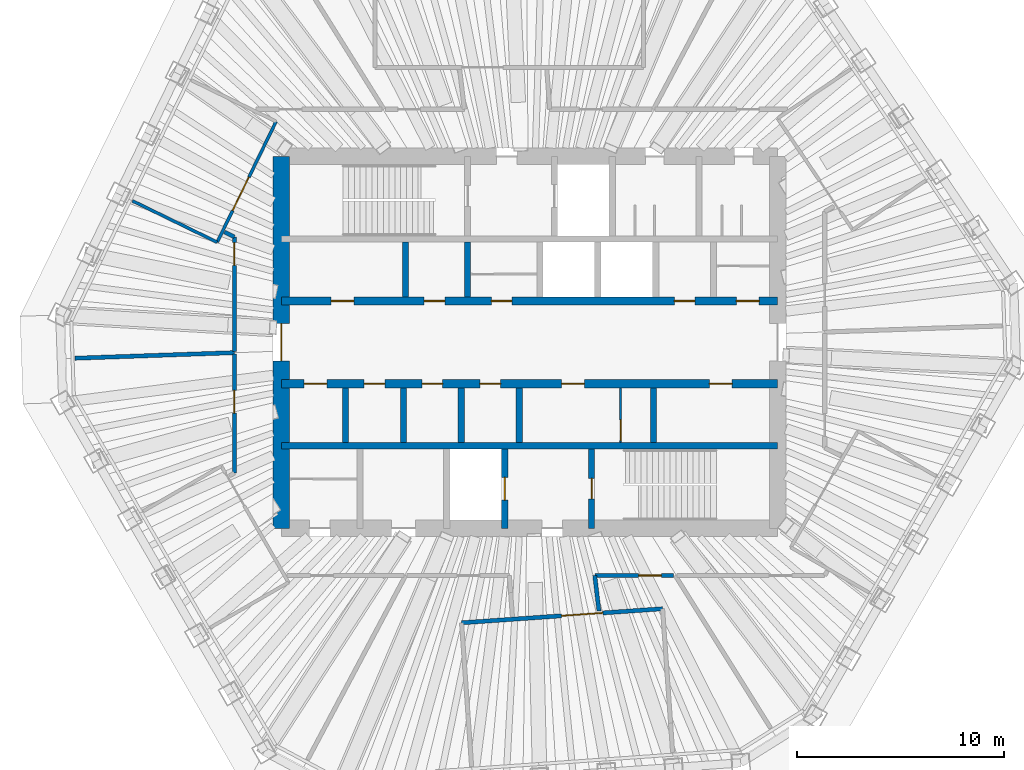
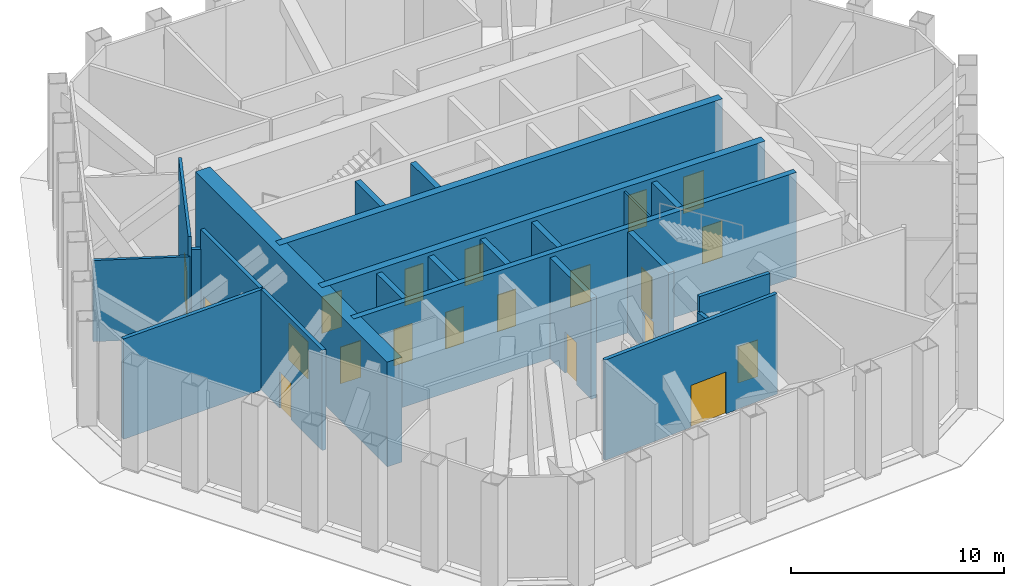
# One storey, part 6 of 10: 23 walls, 20 doors, 20 openings.
"""IFC4 building model written with IfcOpenShell, lengths in metres."""

import ifcopenshell
import ifcopenshell.guid

model = None  # the IFC model being written
_history = None  # IfcOwnerHistory: only IFC2X3 demands one
_inside = {}  # id of a spatial element -> (the spatial element, [elements in it])
_under = {}  # id of a project, library or spatial element -> (it, [spatial elements below it])
_declared = {}  # id of a project -> (the project, [libraries it declares])
_typed = {}  # id of a type object -> (the type object, [elements of that type])
_made_of = {}  # id of a material, layer set ... -> (it, [elements and type objects made of it])


def new_model(schema):
    """Start an empty IFC model of exactly this schema.

    Asked for "IFC4X3", IfcOpenShell would pick the latest addendum, in which some entities
    have other attributes; the version numbers below select the first issue.
    IFC2X3 requires an IfcOwnerHistory on every rooted entity: one is made here for all.
    """
    global model, _history
    if schema == "IFC4X3":
        model = ifcopenshell.file(schema_version=(4, 3, 0, 0))
    else:
        model = ifcopenshell.file(schema=schema)
    _inside.clear()
    _under.clear()
    _declared.clear()
    _typed.clear()
    _made_of.clear()
    _history = None
    if model.schema == "IFC2X3":
        org = make("IfcOrganization", Name="unknown")
        user = make(
            "IfcPersonAndOrganization",
            ThePerson=make("IfcPerson", FamilyName="unknown"),
            TheOrganization=org,
        )
        app = make(
            "IfcApplication",
            ApplicationDeveloper=org,
            Version="unknown",
            ApplicationFullName="unknown",
            ApplicationIdentifier="unknown",
        )
        _history = make(
            "IfcOwnerHistory",
            OwningUser=user,
            OwningApplication=app,
            ChangeAction="ADDED",
            CreationDate=0,
        )
    return model


def make(cls, **values):
    """One entity of the class cls with the attributes given. An attribute that is None is left unset."""
    return model.create_entity(
        cls, **{name: value for name, value in values.items() if value is not None}
    )


def rooted(cls, **values):
    """An entity with a GlobalId (a new one), such as an element, a storey or a relation."""
    return make(cls, GlobalId=ifcopenshell.guid.new(), OwnerHistory=_history, **values)


def si_unit(unit_type, name, prefix=None):
    """IfcSIUnit, for example si_unit("LENGTHUNIT", "METRE", prefix="MILLI")."""
    return make("IfcSIUnit", UnitType=unit_type, Prefix=prefix, Name=name)


def assignment(units):
    """IfcUnitAssignment: the units of a project."""
    return None if units is None else make("IfcUnitAssignment", Units=units)


def point(xyz):
    """IfcCartesianPoint."""
    return None if xyz is None else make("IfcCartesianPoint", Coordinates=xyz)


def direction(xyz):
    """IfcDirection."""
    return None if xyz is None else make("IfcDirection", DirectionRatios=xyz)


def frame(location, z_axis=None, x_axis=None):
    """IfcAxis2Placement3D, a coordinate frame: its origin and axes. An axis left out is left unset."""
    return make(
        "IfcAxis2Placement3D",
        Location=point(location),
        Axis=direction(z_axis),
        RefDirection=direction(x_axis),
    )


def frame_2d(location, x_axis=None):
    """IfcAxis2Placement2D, a coordinate frame in the plane: its origin and x axis."""
    return make(
        "IfcAxis2Placement2D", Location=point(location), RefDirection=direction(x_axis)
    )


def origin():
    """The frame at (0, 0, 0) with its axes left unset."""
    return frame((0.0, 0.0, 0.0))


def place(relative_to, where):
    """IfcLocalPlacement: puts the frame where relative to a parent placement (None: the world)."""
    return make(
        "IfcLocalPlacement", PlacementRelTo=relative_to, RelativePlacement=where
    )


def context(
    kind, dimensions, precision=None, world=None, true_north=None, identifier=None
):
    """IfcGeometricRepresentationContext, for example the 3D "Model" context."""
    return make(
        "IfcGeometricRepresentationContext",
        ContextIdentifier=identifier,
        ContextType=kind,
        CoordinateSpaceDimension=dimensions,
        Precision=precision,
        WorldCoordinateSystem=world,
        TrueNorth=true_north,
    )


def subcontext(parent, identifier, kind, view, scale=None):
    """IfcGeometricRepresentationSubContext, for example "Body" below "Model"."""
    return make(
        "IfcGeometricRepresentationSubContext",
        ContextIdentifier=identifier,
        ContextType=kind,
        ParentContext=parent,
        TargetScale=scale,
        TargetView=view,
    )


def project(units=None, contexts=None):
    """IfcProject with its units and contexts."""
    return rooted(
        "IfcProject",
        Name="project",
        RepresentationContexts=contexts,
        UnitsInContext=assignment(units),
    )


def spatial(cls, under=None, at=None, **own):
    """A site, building, storey or space (cls), placed at a placement, below another one or the project."""
    s = rooted(cls, ObjectPlacement=at, **own)
    if under is not None:
        _under.setdefault(under.id(), (under, []))[1].append(s)
    return s


def profile(cls, at=None, kind="AREA", **sizes):
    """A parametric profile (cls). Its sizes go by their IFC names, for example OverallWidth=200.0."""
    return make(cls, ProfileType=kind, Position=at, **sizes)


def rectangle(**sizes):
    """IfcRectangleProfileDef."""
    return profile("IfcRectangleProfileDef", **sizes)


def extrude(swept, where, along, depth):
    """IfcExtrudedAreaSolid: the profile swept, set in the frame where, extruded along a direction by depth."""
    return make(
        "IfcExtrudedAreaSolid",
        SweptArea=swept,
        Position=where,
        ExtrudedDirection=direction(along),
        Depth=depth,
    )


def shape(context_of_items, identifier, shape_type, items):
    """IfcShapeRepresentation: the items that make up one representation, for example the "Body"."""
    return make(
        "IfcShapeRepresentation",
        ContextOfItems=context_of_items,
        RepresentationIdentifier=identifier,
        RepresentationType=shape_type,
        Items=items,
    )


def material(Name=None, Category=None):
    """IfcMaterial."""
    return make("IfcMaterial", Name=Name, Category=Category)


def layer(
    of_material, thickness, ventilated=None, Name=None, Category=None, Priority=None
):
    """IfcMaterialLayer: one layer of a wall or slab, of a material (None: an air gap)."""
    return make(
        "IfcMaterialLayer",
        Material=of_material,
        LayerThickness=thickness,
        IsVentilated=ventilated,
        Name=Name,
        Category=Category,
        Priority=Priority,
    )


def layer_set(layers, Name=None):
    """IfcMaterialLayerSet."""
    return make("IfcMaterialLayerSet", MaterialLayers=layers, LayerSetName=Name)


def made_of(thing, what):
    """Note that an element or type object is made of a material, layer set ...; save() writes the relation."""
    if what is not None:
        _made_of.setdefault(what.id(), (what, []))[1].append(thing)
    return thing


def type_object(cls, material=None, **own):
    """A type object (cls), such as IfcWallType, which elements share."""
    return made_of(rooted(cls, **own), material)


def element(
    cls,
    number,
    at=None,
    inside=None,
    cuts=None,
    type_object=None,
    material=None,
    context=None,
    identifier="Body",
    shape_type=None,
    held_by="IfcProductDefinitionShape",
    body=None,
    shapes=None,
    **own,
):
    """One element of the class cls, such as IfcWall. Its Tag is "e" and its number.

    at: its placement. inside: the storey or other place that contains it. cuts: it is an
    opening in that element (IfcRelVoidsElement). A single representation is given by context,
    identifier, shape_type and body (its items); several are given by shapes. held_by: the class
    of the entity that holds the representations. save() writes the other relations.
    """
    e = rooted(cls, Tag="e%d" % number, ObjectPlacement=at, **own)
    if body is not None:
        shapes = [shape(context, identifier, shape_type, body)]
    if shapes is not None:
        e.Representation = make(held_by, Representations=shapes)
    if inside is not None:
        _inside.setdefault(inside.id(), (inside, []))[1].append(e)
    if cuts is not None:
        rooted(
            "IfcRelVoidsElement", RelatingBuildingElement=cuts, RelatedOpeningElement=e
        )
    if type_object is not None:
        _typed.setdefault(type_object.id(), (type_object, []))[1].append(e)
    return made_of(e, material)


def fill(opening, filler):
    """IfcRelFillsElement: the door or window that sits in an opening."""
    return rooted(
        "IfcRelFillsElement",
        RelatingOpeningElement=opening,
        RelatedBuildingElement=filler,
    )


def aggregate(whole, parts):
    """IfcRelAggregates: a whole, such as a stair, and the parts it consists of."""
    return rooted("IfcRelAggregates", RelatingObject=whole, RelatedObjects=parts)


def save(model, path):
    """Write the relations noted so far, then the file.

    IfcRelAggregates (storeys below a building ...), IfcRelContainedInSpatialStructure (elements
    in a storey), IfcRelDefinesByType, IfcRelAssociatesMaterial and IfcRelDeclares: one each for
    every whole, place, type object, material and project.
    """
    for whole, parts in _under.values():
        aggregate(whole, parts)
    for where, things in _inside.values():
        rooted(
            "IfcRelContainedInSpatialStructure",
            RelatedElements=things,
            RelatingStructure=where,
        )
    for kind, things in _typed.values():
        rooted("IfcRelDefinesByType", RelatedObjects=things, RelatingType=kind)
    for what, things in _made_of.values():
        rooted("IfcRelAssociatesMaterial", RelatedObjects=things, RelatingMaterial=what)
    for by, libraries in _declared.values():
        rooted("IfcRelDeclares", RelatingContext=by, RelatedDefinitions=libraries)
    model.write(path)


model = new_model("IFC4")

# Units and contexts
model_context = context("Model", 3, precision=1e-05, world=origin(), true_north=direction((0.0, 1.0)))
body_context = subcontext(model_context, "Body", "Model", "MODEL_VIEW")
ifc_project = project(units=[si_unit("LENGTHUNIT", "METRE"), si_unit("AREAUNIT", "SQUARE_METRE"), si_unit("VOLUMEUNIT", "CUBIC_METRE"), si_unit("PLANEANGLEUNIT", "RADIAN"), si_unit("MASSUNIT", "GRAM", prefix="KILO")], contexts=[model_context])

# Site, building, storey
site_placement = place(None, origin())
site = spatial("IfcSite", under=ifc_project, at=site_placement, CompositionType="ELEMENT")
building_placement = place(site_placement, origin())
building = spatial("IfcBuilding", under=site, at=building_placement, Name="Qingtian Harvest Tower", CompositionType="ELEMENT")
storey_placement = place(building_placement, frame((0.0, 0.0, 337.60009765625)))
storey = spatial("IfcBuildingStorey", under=building, at=storey_placement, Name="L75", CompositionType="ELEMENT", Elevation=337.60009765625)

# Wall
ifc_material_1 = material(Name="Concrete fc' 70 MPa", Category="concrete")
ifc_layer_1 = layer(ifc_material_1, 0.300048828125)
ifc_layer_set_1 = layer_set([ifc_layer_1], Name="Core inner wall RC5 300")
wall_type_1 = type_object("IfcWallType", Name="Core inner wall RC5 300", PredefinedType="SHEAR", material=ifc_layer_set_1)
wall_1_placement = place(storey_placement, frame((-12.0, -5.0, 0.0), z_axis=(0.0, 0.0, 1.0), x_axis=(1.0, 0.0, 0.0)))
element("IfcWall", 1, at=wall_1_placement, inside=storey, type_object=wall_type_1, Name="Core wall IS5 L75", PredefinedType="SHEAR", context=body_context, shape_type="SweptSolid", body=[
    extrude(rectangle(XDim=24.0, YDim=0.300048828125, at=frame_2d((12.0, 0.0))), origin(), (0.0, 0.0, 1.0), 6.0),
])

# Wall, openings, doors
ifc_material_2 = material(Name="Concrete fc' 70 MPa", Category="concrete")
ifc_layer_2 = layer(ifc_material_2, 0.39990234375)
ifc_layer_set_2 = layer_set([ifc_layer_2], Name="Core inner web RC6 400")
wall_type_2 = type_object("IfcWallType", Name="Core inner web RC6 400", PredefinedType="SHEAR", material=ifc_layer_set_2)
wall_2_placement = place(storey_placement, frame((-12.0, 2.0, 0.0), z_axis=(0.0, 0.0, 1.0), x_axis=(1.0, 0.0, 0.0)))
wall_2 = element("IfcWall", 2, at=wall_2_placement, inside=storey, type_object=wall_type_2, Name="Core wall IN2 L75", PredefinedType="SHEAR", context=body_context, shape_type="SweptSolid", body=[
    extrude(rectangle(XDim=24.0, YDim=0.39990234375, at=frame_2d((12.0, 0.0))), origin(), (0.0, 0.0, 1.0), 6.0),
])
opening_1_placement = place(wall_2_placement, frame((2.39990234375, 0.0, 0.0)))
opening_1 = element("IfcOpeningElement", 3, at=opening_1_placement, cuts=wall_2, Name="Opening FD4", PredefinedType="OPENING", context=body_context, shape_type="SweptSolid", body=[
    extrude(rectangle(XDim=1.10009765625, YDim=2.10009765625, at=frame_2d((0.550048828125, 1.050048828125))), frame((0.0, 0.2099609375, 0.0), z_axis=(0.0, -1.0, 0.0), x_axis=(1.0, 0.0, 0.0)), (0.0, 0.0, 1.0), 0.419921875),
])
opening_2_placement = place(wall_2_placement, frame((22.0, 0.0, 0.0)))
opening_2 = element("IfcOpeningElement", 4, at=opening_2_placement, cuts=wall_2, Name="Opening FD4", PredefinedType="OPENING", context=body_context, shape_type="SweptSolid", body=[
    extrude(rectangle(XDim=1.10009765625, YDim=2.10009765625, at=frame_2d((0.550048828125, 1.050048828125))), frame((0.0, 0.2099609375, 0.0), z_axis=(0.0, -1.0, 0.0), x_axis=(1.0, 0.0, 0.0)), (0.0, 0.0, 1.0), 0.419921875),
])
opening_3_placement = place(wall_2_placement, frame((10.14990234375, 0.0, 0.0)))
opening_3 = element("IfcOpeningElement", 5, at=opening_3_placement, cuts=wall_2, Name="Opening FD1", PredefinedType="OPENING", context=body_context, shape_type="SweptSolid", body=[
    extrude(rectangle(XDim=1.0, YDim=2.10009765625, at=frame_2d((0.5, 1.050048828125))), frame((0.0, 0.2099609375, 0.0), z_axis=(0.0, -1.0, 0.0), x_axis=(1.0, 0.0, 0.0)), (0.0, 0.0, 1.0), 0.419921875),
])
opening_4_placement = place(wall_2_placement, frame((6.89990234375, 0.0, 0.0)))
opening_4 = element("IfcOpeningElement", 6, at=opening_4_placement, cuts=wall_2, Name="Opening FD1", PredefinedType="OPENING", context=body_context, shape_type="SweptSolid", body=[
    extrude(rectangle(XDim=1.0, YDim=2.10009765625, at=frame_2d((0.5, 1.050048828125))), frame((0.0, 0.2099609375, 0.0), z_axis=(0.0, -1.0, 0.0), x_axis=(1.0, 0.0, 0.0)), (0.0, 0.0, 1.0), 0.419921875),
])
opening_5_placement = place(wall_2_placement, frame((19.0, 0.0, 0.0)))
opening_5 = element("IfcOpeningElement", 7, at=opening_5_placement, cuts=wall_2, Name="Opening FD1", PredefinedType="OPENING", context=body_context, shape_type="SweptSolid", body=[
    extrude(rectangle(XDim=1.0, YDim=2.10009765625, at=frame_2d((0.5, 1.050048828125))), frame((0.0, 0.2099609375, 0.0), z_axis=(0.0, -1.0, 0.0), x_axis=(1.0, 0.0, 0.0)), (0.0, 0.0, 1.0), 0.419921875),
])
ifc_material_3 = material(Name="Steel-faced door leaf", Category="steel")
door_type_1 = type_object("IfcDoorType", Name="Fire door FD1 single 1 HR", OperationType="SINGLE_SWING_LEFT", PredefinedType="DOOR", material=ifc_material_3)
door_1_placement = place(opening_3_placement, origin())
door_1 = element("IfcDoor", 8, at=door_1_placement, inside=storey, type_object=door_type_1, Name="STA door L75", OperationType="SINGLE_SWING_LEFT", OverallHeight=2.10009765625, OverallWidth=1.0, PredefinedType="DOOR", context=body_context, shape_type="SweptSolid", body=[
    extrude(rectangle(XDim=1.0, YDim=2.10009765625, at=frame_2d((0.5, 1.050048828125))), frame((0.0, 0.02490234375, 0.0), z_axis=(0.0, -1.0, 0.0), x_axis=(1.0, 0.0, 0.0)), (0.0, 0.0, 1.0), 0.050048828125),
])
fill(opening_3, door_1)
door_2_placement = place(opening_4_placement, origin())
door_2 = element("IfcDoor", 9, at=door_2_placement, inside=storey, type_object=door_type_1, Name="Tool store door L75", OperationType="SINGLE_SWING_LEFT", OverallHeight=2.10009765625, OverallWidth=1.0, PredefinedType="DOOR", context=body_context, shape_type="SweptSolid", body=[
    extrude(rectangle(XDim=1.0, YDim=2.10009765625, at=frame_2d((0.5, 1.050048828125))), frame((0.0, 0.02490234375, 0.0), z_axis=(0.0, -1.0, 0.0), x_axis=(1.0, 0.0, 0.0)), (0.0, 0.0, 1.0), 0.050048828125),
])
fill(opening_4, door_2)
door_3_placement = place(opening_5_placement, origin())
door_3 = element("IfcDoor", 10, at=door_3_placement, inside=storey, type_object=door_type_1, Name="Tool store door L75", OperationType="SINGLE_SWING_LEFT", OverallHeight=2.10009765625, OverallWidth=1.0, PredefinedType="DOOR", context=body_context, shape_type="SweptSolid", body=[
    extrude(rectangle(XDim=1.0, YDim=2.10009765625, at=frame_2d((0.5, 1.050048828125))), frame((0.0, 0.02490234375, 0.0), z_axis=(0.0, -1.0, 0.0), x_axis=(1.0, 0.0, 0.0)), (0.0, 0.0, 1.0), 0.050048828125),
])
fill(opening_5, door_3)
ifc_material_4 = material(Name="Steel-faced door leaf", Category="steel")
door_type_2 = type_object("IfcDoorType", Name="Fire door FD4 single 2 HR", OperationType="SINGLE_SWING_LEFT", PredefinedType="DOOR", material=ifc_material_4)
door_4_placement = place(opening_1_placement, origin())
door_4 = element("IfcDoor", 11, at=door_4_placement, inside=storey, type_object=door_type_2, Name="RA door L75", OperationType="SINGLE_SWING_RIGHT", OverallHeight=2.10009765625, OverallWidth=1.10009765625, PredefinedType="DOOR", context=body_context, shape_type="SweptSolid", body=[
    extrude(rectangle(XDim=1.10009765625, YDim=2.10009765625, at=frame_2d((0.550048828125, 1.050048828125))), frame((0.0, 0.02490234375, 0.0), z_axis=(0.0, -1.0, 0.0), x_axis=(1.0, 0.0, 0.0)), (0.0, 0.0, 1.0), 0.050048828125),
])
fill(opening_1, door_4)
door_5_placement = place(opening_2_placement, origin())
door_5 = element("IfcDoor", 12, at=door_5_placement, inside=storey, type_object=door_type_2, Name="AHU door L75", OperationType="SINGLE_SWING_RIGHT", OverallHeight=2.10009765625, OverallWidth=1.10009765625, PredefinedType="DOOR", context=body_context, shape_type="SweptSolid", body=[
    extrude(rectangle(XDim=1.10009765625, YDim=2.10009765625, at=frame_2d((0.550048828125, 1.050048828125))), frame((0.0, 0.02490234375, 0.0), z_axis=(0.0, -1.0, 0.0), x_axis=(1.0, 0.0, 0.0)), (0.0, 0.0, 1.0), 0.050048828125),
])
fill(opening_2, door_5)

wall_3_placement = place(storey_placement, frame((-12.0, -2.0, 0.0), z_axis=(0.0, 0.0, 1.0), x_axis=(1.0, 0.0, 0.0)))
wall_3 = element("IfcWall", 13, at=wall_3_placement, inside=storey, type_object=wall_type_2, Name="Core wall IS2 L75", PredefinedType="SHEAR", context=body_context, shape_type="SweptSolid", body=[
    extrude(rectangle(XDim=24.0, YDim=0.39990234375, at=frame_2d((12.0, 0.0))), origin(), (0.0, 0.0, 1.0), 6.0),
])
opening_6_placement = place(wall_3_placement, frame((1.10009765625, 0.0, 0.0)))
opening_6 = element("IfcOpeningElement", 14, at=opening_6_placement, cuts=wall_3, Name="Opening FD4", PredefinedType="OPENING", context=body_context, shape_type="SweptSolid", body=[
    extrude(rectangle(XDim=1.10009765625, YDim=2.10009765625, at=frame_2d((0.550048828125, 1.050048828125))), frame((0.0, 0.2099609375, 0.0), z_axis=(0.0, -1.0, 0.0), x_axis=(1.0, 0.0, 0.0)), (0.0, 0.0, 1.0), 0.419921875),
])
opening_7_placement = place(wall_3_placement, frame((13.550048828125, 0.0, 0.0)))
opening_7 = element("IfcOpeningElement", 15, at=opening_7_placement, cuts=wall_3, Name="Opening FD4", PredefinedType="OPENING", context=body_context, shape_type="SweptSolid", body=[
    extrude(rectangle(XDim=1.10009765625, YDim=2.10009765625, at=frame_2d((0.550048828125, 1.050048828125))), frame((0.0, 0.2099609375, 0.0), z_axis=(0.0, -1.0, 0.0), x_axis=(1.0, 0.0, 0.0)), (0.0, 0.0, 1.0), 0.419921875),
])
opening_8_placement = place(wall_3_placement, frame((20.699951171875, 0.0, 0.0)))
opening_8 = element("IfcOpeningElement", 16, at=opening_8_placement, cuts=wall_3, Name="Opening FD4", PredefinedType="OPENING", context=body_context, shape_type="SweptSolid", body=[
    extrude(rectangle(XDim=1.10009765625, YDim=2.10009765625, at=frame_2d((0.550048828125, 1.050048828125))), frame((0.0, 0.2099609375, 0.0), z_axis=(0.0, -1.0, 0.0), x_axis=(1.0, 0.0, 0.0)), (0.0, 0.0, 1.0), 0.419921875),
])
opening_9_placement = place(wall_3_placement, frame((4.0, 0.0, 0.0)))
opening_9 = element("IfcOpeningElement", 17, at=opening_9_placement, cuts=wall_3, Name="Opening FD1", PredefinedType="OPENING", context=body_context, shape_type="SweptSolid", body=[
    extrude(rectangle(XDim=1.0, YDim=2.10009765625, at=frame_2d((0.5, 1.050048828125))), frame((0.0, 0.2099609375, 0.0), z_axis=(0.0, -1.0, 0.0), x_axis=(1.0, 0.0, 0.0)), (0.0, 0.0, 1.0), 0.419921875),
])
opening_10_placement = place(wall_3_placement, frame((6.800048828125, 0.0, 0.0)))
opening_10 = element("IfcOpeningElement", 18, at=opening_10_placement, cuts=wall_3, Name="Opening FD1", PredefinedType="OPENING", context=body_context, shape_type="SweptSolid", body=[
    extrude(rectangle(XDim=1.0, YDim=2.10009765625, at=frame_2d((0.5, 1.050048828125))), frame((0.0, 0.2099609375, 0.0), z_axis=(0.0, -1.0, 0.0), x_axis=(1.0, 0.0, 0.0)), (0.0, 0.0, 1.0), 0.419921875),
])
opening_11_placement = place(wall_3_placement, frame((9.60009765625, 0.0, 0.0)))
opening_11 = element("IfcOpeningElement", 19, at=opening_11_placement, cuts=wall_3, Name="Opening FD1", PredefinedType="OPENING", context=body_context, shape_type="SweptSolid", body=[
    extrude(rectangle(XDim=1.0, YDim=2.10009765625, at=frame_2d((0.5, 1.050048828125))), frame((0.0, 0.2099609375, 0.0), z_axis=(0.0, -1.0, 0.0), x_axis=(1.0, 0.0, 0.0)), (0.0, 0.0, 1.0), 0.419921875),
])
door_6_placement = place(opening_9_placement, origin())
door_6 = element("IfcDoor", 20, at=door_6_placement, inside=storey, type_object=door_type_1, Name="Spares store door L75", OperationType="SINGLE_SWING_LEFT", OverallHeight=2.10009765625, OverallWidth=1.0, PredefinedType="DOOR", context=body_context, shape_type="SweptSolid", body=[
    extrude(rectangle(XDim=1.0, YDim=2.10009765625, at=frame_2d((0.5, 1.050048828125))), frame((0.0, 0.02490234375, 0.0), z_axis=(0.0, -1.0, 0.0), x_axis=(1.0, 0.0, 0.0)), (0.0, 0.0, 1.0), 0.050048828125),
])
fill(opening_9, door_6)
door_7_placement = place(opening_10_placement, origin())
door_7 = element("IfcDoor", 21, at=door_7_placement, inside=storey, type_object=door_type_1, Name="Filter store door L75", OperationType="SINGLE_SWING_LEFT", OverallHeight=2.10009765625, OverallWidth=1.0, PredefinedType="DOOR", context=body_context, shape_type="SweptSolid", body=[
    extrude(rectangle(XDim=1.0, YDim=2.10009765625, at=frame_2d((0.5, 1.050048828125))), frame((0.0, 0.02490234375, 0.0), z_axis=(0.0, -1.0, 0.0), x_axis=(1.0, 0.0, 0.0)), (0.0, 0.0, 1.0), 0.050048828125),
])
fill(opening_10, door_7)
door_8_placement = place(opening_11_placement, origin())
door_8 = element("IfcDoor", 22, at=door_8_placement, inside=storey, type_object=door_type_1, Name="Tool store door L75", OperationType="SINGLE_SWING_LEFT", OverallHeight=2.10009765625, OverallWidth=1.0, PredefinedType="DOOR", context=body_context, shape_type="SweptSolid", body=[
    extrude(rectangle(XDim=1.0, YDim=2.10009765625, at=frame_2d((0.5, 1.050048828125))), frame((0.0, 0.02490234375, 0.0), z_axis=(0.0, -1.0, 0.0), x_axis=(1.0, 0.0, 0.0)), (0.0, 0.0, 1.0), 0.050048828125),
])
fill(opening_11, door_8)
door_9_placement = place(opening_6_placement, origin())
door_9 = element("IfcDoor", 23, at=door_9_placement, inside=storey, type_object=door_type_2, Name="RB door L75", OperationType="SINGLE_SWING_RIGHT", OverallHeight=2.10009765625, OverallWidth=1.10009765625, PredefinedType="DOOR", context=body_context, shape_type="SweptSolid", body=[
    extrude(rectangle(XDim=1.10009765625, YDim=2.10009765625, at=frame_2d((0.550048828125, 1.050048828125))), frame((0.0, 0.02490234375, 0.0), z_axis=(0.0, -1.0, 0.0), x_axis=(1.0, 0.0, 0.0)), (0.0, 0.0, 1.0), 0.050048828125),
])
fill(opening_6, door_9)
door_10_placement = place(opening_7_placement, origin())
door_10 = element("IfcDoor", 24, at=door_10_placement, inside=storey, type_object=door_type_2, Name="ELEC door L75", OperationType="SINGLE_SWING_LEFT", OverallHeight=2.10009765625, OverallWidth=1.10009765625, PredefinedType="DOOR", context=body_context, shape_type="SweptSolid", body=[
    extrude(rectangle(XDim=1.10009765625, YDim=2.10009765625, at=frame_2d((0.550048828125, 1.050048828125))), frame((0.0, 0.02490234375, 0.0), z_axis=(0.0, -1.0, 0.0), x_axis=(1.0, 0.0, 0.0)), (0.0, 0.0, 1.0), 0.050048828125),
])
fill(opening_7, door_10)
door_11_placement = place(opening_8_placement, origin())
door_11 = element("IfcDoor", 25, at=door_11_placement, inside=storey, type_object=door_type_2, Name="DUCT door L75", OperationType="SINGLE_SWING_RIGHT", OverallHeight=2.10009765625, OverallWidth=1.10009765625, PredefinedType="DOOR", context=body_context, shape_type="SweptSolid", body=[
    extrude(rectangle(XDim=1.10009765625, YDim=2.10009765625, at=frame_2d((0.550048828125, 1.050048828125))), frame((0.0, 0.02490234375, 0.0), z_axis=(0.0, -1.0, 0.0), x_axis=(1.0, 0.0, 0.0)), (0.0, 0.0, 1.0), 0.050048828125),
])
fill(opening_8, door_11)

# Walls
ifc_material_5 = material(Name="Precast concrete shaft panel", Category="concrete")
ifc_layer_3 = layer(ifc_material_5, 0.300048828125)
ifc_layer_set_3 = layer_set([ifc_layer_3], Name="Core shaft partition SW1 300")
wall_type_3 = type_object("IfcWallType", Name="Core shaft partition SW1 300", PredefinedType="PARTITIONING", material=ifc_layer_set_3)
for number, where, z_axis, x_axis, name in (
    (26, (-6.0, 2.199951171875, 0.0), (0.0, 0.0, 1.0), (0.0, 1.0, 0.0), "Core shaft partition XA1 L75"),
    (27, (-3.0, 2.199951171875, 0.0), (0.0, 0.0, 1.0), (0.0, 1.0, 0.0), "Core shaft partition XA2 L75"),
    (28, (-8.89990234375, -4.85009765625, 0.0), (0.0, 0.0, 1.0), (0.0, 1.0, 0.0), "Core shaft partition XB1 L75"),
    (29, (-6.10009765625, -4.85009765625, 0.0), (0.0, 0.0, 1.0), (0.0, 1.0, 0.0), "Core shaft partition XB2 L75"),
    (30, (-3.300048828125, -4.85009765625, 0.0), (0.0, 0.0, 1.0), (0.0, 1.0, 0.0), "Core shaft partition XB3 L75"),
    (31, (-0.5, -4.85009765625, 0.0), (0.0, 0.0, 1.0), (0.0, 1.0, 0.0), "Core shaft partition XB4 L75"),
    (32, (6.0, -4.85009765625, 0.0), (0.0, 0.0, 1.0), (0.0, 1.0, 0.0), "Core shaft partition XB5 L75"),
):
    element("IfcWall", number, at=place(storey_placement, frame(where, z_axis=z_axis, x_axis=x_axis)), inside=storey, type_object=wall_type_3, Name=name, PredefinedType="PARTITIONING", context=body_context, shape_type="SweptSolid", body=[
        extrude(rectangle(XDim=2.650146484375, YDim=0.300048828125, at=frame_2d((1.3251953125, 0.0))), origin(), (0.0, 0.0, 1.0), 5.77978515625),
    ])

# Wall, opening, door
wall_4_placement = place(storey_placement, frame((-1.199951171875, -9.0, 0.0), z_axis=(0.0, 0.0, 1.0), x_axis=(0.0, 1.0, 0.0)))
wall_4 = element("IfcWall", 33, at=wall_4_placement, inside=storey, type_object=wall_type_3, Name="Core shaft partition XS3 L75", PredefinedType="PARTITIONING", context=body_context, shape_type="SweptSolid", body=[
    extrude(rectangle(XDim=3.85009765625, YDim=0.300048828125, at=frame_2d((1.925048828125, 0.0))), origin(), (0.0, 0.0, 1.0), 5.77978515625),
])
opening_12_placement = place(wall_4_placement, frame((1.375, 0.0, 0.0)))
opening_12 = element("IfcOpeningElement", 34, at=opening_12_placement, cuts=wall_4, Name="Opening LD1", PredefinedType="OPENING", context=body_context, shape_type="SweptSolid", body=[
    extrude(rectangle(XDim=1.10009765625, YDim=2.39990234375, at=frame_2d((0.550048828125, 1.199951171875))), frame((0.0, 0.159912109375, 0.0), z_axis=(0.0, -1.0, 0.0), x_axis=(1.0, 0.0, 0.0)), (0.0, 0.0, 1.0), 0.320068359375),
])
ifc_material_6 = material(Name="Stainless steel lift landing door", Category="steel")
door_type_3 = type_object("IfcDoorType", Name="Lift landing door LD1 1 HR", OperationType="DOUBLE_DOOR_SLIDING", PredefinedType="DOOR", material=ifc_material_6)
door_12_placement = place(opening_12_placement, origin())
door_12 = element("IfcDoor", 35, at=door_12_placement, inside=storey, type_object=door_type_3, Name="FL2 landing door L75", OperationType="DOUBLE_DOOR_SLIDING", OverallHeight=2.39990234375, OverallWidth=1.10009765625, PredefinedType="DOOR", context=body_context, shape_type="SweptSolid", body=[
    extrude(rectangle(XDim=1.10009765625, YDim=2.39990234375, at=frame_2d((0.550048828125, 1.199951171875))), frame((0.0, 0.02490234375, 0.0), z_axis=(0.0, -1.0, 0.0), x_axis=(1.0, 0.0, 0.0)), (0.0, 0.0, 1.0), 0.050048828125),
])
fill(opening_12, door_12)

wall_5_placement = place(storey_placement, frame((3.0, -9.0, 0.0), z_axis=(0.0, 0.0, 1.0), x_axis=(0.0, 1.0, 0.0)))
wall_5 = element("IfcWall", 36, at=wall_5_placement, inside=storey, type_object=wall_type_3, Name="Core shaft partition XS4 L75", PredefinedType="PARTITIONING", context=body_context, shape_type="SweptSolid", body=[
    extrude(rectangle(XDim=3.85009765625, YDim=0.300048828125, at=frame_2d((1.925048828125, 0.0))), origin(), (0.0, 0.0, 1.0), 5.77978515625),
])
opening_13_placement = place(wall_5_placement, frame((1.425048828125, 0.0, 0.0)))
opening_13 = element("IfcOpeningElement", 37, at=opening_13_placement, cuts=wall_5, Name="Opening FD1", PredefinedType="OPENING", context=body_context, shape_type="SweptSolid", body=[
    extrude(rectangle(XDim=1.0, YDim=2.10009765625, at=frame_2d((0.5, 1.050048828125))), frame((0.0, 0.159912109375, 0.0), z_axis=(0.0, -1.0, 0.0), x_axis=(1.0, 0.0, 0.0)), (0.0, 0.0, 1.0), 0.320068359375),
])
door_13_placement = place(opening_13_placement, origin())
door_13 = element("IfcDoor", 38, at=door_13_placement, inside=storey, type_object=door_type_1, Name="S2 door L75", OperationType="SINGLE_SWING_LEFT", OverallHeight=2.10009765625, OverallWidth=1.0, PredefinedType="DOOR", context=body_context, shape_type="SweptSolid", body=[
    extrude(rectangle(XDim=1.0, YDim=2.10009765625, at=frame_2d((0.5, 1.050048828125))), frame((0.0, 0.02490234375, 0.0), z_axis=(0.0, -1.0, 0.0), x_axis=(1.0, 0.0, 0.0)), (0.0, 0.0, 1.0), 0.050048828125),
])
fill(opening_13, door_13)

ifc_material_7 = material(Name="Concrete fc' 70 MPa", Category="concrete")
ifc_layer_4 = layer(ifc_material_7, 0.800048828125)
ifc_layer_set_4 = layer_set([ifc_layer_4], Name="Core wall RC4 800")
wall_type_4 = type_object("IfcWallType", Name="Core wall RC4 800", PredefinedType="SHEAR", material=ifc_layer_set_4)
wall_6_placement = place(storey_placement, frame((-12.0, -9.0, 0.0), z_axis=(0.0, 0.0, 1.0), x_axis=(0.0, 1.0, 0.0)))
wall_6 = element("IfcWall", 39, at=wall_6_placement, inside=storey, type_object=wall_type_4, Name="Core wall CW L75", PredefinedType="SHEAR", context=body_context, shape_type="SweptSolid", body=[
    extrude(rectangle(XDim=18.0, YDim=0.800048828125, at=frame_2d((9.0, 0.0))), origin(), (0.0, 0.0, 1.0), 6.0),
])
opening_14_placement = place(wall_6_placement, frame((8.10009765625, 0.0, 0.0)))
opening_14 = element("IfcOpeningElement", 40, at=opening_14_placement, cuts=wall_6, Name="Opening FD2", PredefinedType="OPENING", context=body_context, shape_type="SweptSolid", body=[
    extrude(rectangle(XDim=1.800048828125, YDim=2.10009765625, at=frame_2d((0.89990234375, 1.050048828125))), frame((0.0, 0.409912109375, 0.0), z_axis=(0.0, -1.0, 0.0), x_axis=(1.0, 0.0, 0.0)), (0.0, 0.0, 1.0), 0.820068359375),
])
ifc_material_8 = material(Name="Steel-faced door leaf", Category="steel")
door_type_4 = type_object("IfcDoorType", Name="Fire door FD2 double 1 HR", OperationType="DOUBLE_DOOR_DOUBLE_SWING", PredefinedType="DOOR", material=ifc_material_8)
door_14_placement = place(opening_14_placement, origin())
door_14 = element("IfcDoor", 41, at=door_14_placement, inside=storey, type_object=door_type_4, Name="LOBBY-W door L75", OperationType="DOUBLE_DOOR_DOUBLE_SWING", OverallHeight=2.10009765625, OverallWidth=1.800048828125, PredefinedType="DOOR", context=body_context, shape_type="SweptSolid", body=[
    extrude(rectangle(XDim=1.800048828125, YDim=2.10009765625, at=frame_2d((0.89990234375, 1.050048828125))), frame((0.0, 0.02490234375, 0.0), z_axis=(0.0, -1.0, 0.0), x_axis=(1.0, 0.0, 0.0)), (0.0, 0.0, 1.0), 0.050048828125),
])
fill(opening_14, door_14)

ifc_material_9 = material(Name="Blockwork fire wall", Category="masonry")
ifc_layer_5 = layer(ifc_material_9, 0.199951171875)
ifc_layer_set_5 = layer_set([ifc_layer_5], Name="Fire partition FW1 200")
wall_type_5 = type_object("IfcWallType", Name="Fire partition FW1 200", PredefinedType="PARTITIONING", material=ifc_layer_set_5)
wall_7_placement = place(storey_placement, frame((6.43212890625, -12.8828125, 0.0), z_axis=(0.0, 0.0, 1.0), x_axis=(-0.99756416549, -0.069754825858, 0.0)))
wall_7 = element("IfcWall", 42, at=wall_7_placement, inside=storey, type_object=wall_type_5, Name="Building maintenance unit room wall L75", PredefinedType="PARTITIONING", context=body_context, shape_type="SweptSolid", body=[
    extrude(rectangle(XDim=9.743896484375, YDim=0.199951171875, at=frame_2d((4.8720703125, 0.0))), origin(), (0.0, 0.0, 1.0), 5.75),
])
opening_15_placement = place(wall_7_placement, frame((2.897705078125, 0.0, 0.0)))
opening_15 = element("IfcOpeningElement", 43, at=opening_15_placement, cuts=wall_7, Name="Opening FD3", PredefinedType="OPENING", context=body_context, shape_type="SweptSolid", body=[
    extrude(rectangle(XDim=2.0, YDim=2.39990234375, at=frame_2d((1.0, 1.199951171875))), frame((0.0, 0.10986328125, 0.0), z_axis=(0.0, -1.0, 0.0), x_axis=(1.0, 0.0, 0.0)), (0.0, 0.0, 1.0), 0.219970703125),
])
ifc_material_10 = material(Name="Steel-faced door leaf", Category="steel")
door_type_5 = type_object("IfcDoorType", Name="Fire door FD3 double 2 HR", OperationType="DOUBLE_DOOR_DOUBLE_SWING", PredefinedType="DOOR", material=ifc_material_10)
door_15_placement = place(opening_15_placement, origin())
door_15 = element("IfcDoor", 44, at=door_15_placement, inside=storey, type_object=door_type_5, Name="Building maintenance unit room door L75", OperationType="DOUBLE_DOOR_DOUBLE_SWING", OverallHeight=2.39990234375, OverallWidth=2.0, PredefinedType="DOOR", context=body_context, shape_type="SweptSolid", body=[
    extrude(rectangle(XDim=2.0, YDim=2.39990234375, at=frame_2d((1.0, 1.199951171875))), frame((0.0, 0.02490234375, 0.0), z_axis=(0.0, -1.0, 0.0), x_axis=(1.0, 0.0, 0.0)), (0.0, 0.0, 1.0), 0.050048828125),
])
fill(opening_15, door_15)

wall_8_placement = place(storey_placement, frame((-14.27490234375, -6.320068359375, 0.0), z_axis=(0.0, 0.0, 1.0), x_axis=(0.0, 1.0, 0.0)))
wall_8 = element("IfcWall", 45, at=wall_8_placement, inside=storey, type_object=wall_type_5, Name="Pump plant room wall L75", PredefinedType="PARTITIONING", context=body_context, shape_type="SweptSolid", body=[
    extrude(rectangle(XDim=5.7548828125, YDim=0.199951171875, at=frame_2d((2.87744140625, 0.0))), origin(), (0.0, 0.0, 1.0), 5.75),
])
opening_16_placement = place(wall_8_placement, frame((2.903076171875, 0.0, 0.0)))
opening_16 = element("IfcOpeningElement", 46, at=opening_16_placement, cuts=wall_8, Name="Opening FD4", PredefinedType="OPENING", context=body_context, shape_type="SweptSolid", body=[
    extrude(rectangle(XDim=1.10009765625, YDim=2.10009765625, at=frame_2d((0.550048828125, 1.050048828125))), frame((0.0, 0.10986328125, 0.0), z_axis=(0.0, -1.0, 0.0), x_axis=(1.0, 0.0, 0.0)), (0.0, 0.0, 1.0), 0.219970703125),
])
door_16_placement = place(opening_16_placement, origin())
door_16 = element("IfcDoor", 47, at=door_16_placement, inside=storey, type_object=door_type_2, Name="Pump plant room door L75", OperationType="SINGLE_SWING_RIGHT", OverallHeight=2.10009765625, OverallWidth=1.10009765625, PredefinedType="DOOR", context=body_context, shape_type="SweptSolid", body=[
    extrude(rectangle(XDim=1.10009765625, YDim=2.10009765625, at=frame_2d((0.550048828125, 1.050048828125))), frame((0.0, 0.02490234375, 0.0), z_axis=(0.0, -1.0, 0.0), x_axis=(1.0, 0.0, 0.0)), (0.0, 0.0, 1.0), 0.050048828125),
])
fill(opening_16, door_16)

wall_9_placement = place(storey_placement, frame((6.96875, -11.27490234375, 0.0), z_axis=(0.0, 0.0, 1.0), x_axis=(-1.0, 0.0, 0.0)))
wall_9 = element("IfcWall", 48, at=wall_9_placement, inside=storey, type_object=wall_type_5, Name="Heat exchanger plant room wall L75", PredefinedType="PARTITIONING", context=body_context, shape_type="SweptSolid", body=[
    extrude(rectangle(XDim=3.815673828125, YDim=0.199951171875, at=frame_2d((1.90771484375, 0.0))), origin(), (0.0, 0.0, 1.0), 5.75),
])
opening_17_placement = place(wall_9_placement, frame((0.5947265625, 0.0, 0.0)))
opening_17 = element("IfcOpeningElement", 49, at=opening_17_placement, cuts=wall_9, Name="Opening FD4", PredefinedType="OPENING", context=body_context, shape_type="SweptSolid", body=[
    extrude(rectangle(XDim=1.10009765625, YDim=2.10009765625, at=frame_2d((0.550048828125, 1.050048828125))), frame((0.0, 0.10986328125, 0.0), z_axis=(0.0, -1.0, 0.0), x_axis=(1.0, 0.0, 0.0)), (0.0, 0.0, 1.0), 0.219970703125),
])
door_17_placement = place(opening_17_placement, origin())
door_17 = element("IfcDoor", 50, at=door_17_placement, inside=storey, type_object=door_type_2, Name="Heat exchanger plant room door L75", OperationType="SINGLE_SWING_LEFT", OverallHeight=2.10009765625, OverallWidth=1.10009765625, PredefinedType="DOOR", context=body_context, shape_type="SweptSolid", body=[
    extrude(rectangle(XDim=1.10009765625, YDim=2.10009765625, at=frame_2d((0.550048828125, 1.050048828125))), frame((0.0, 0.02490234375, 0.0), z_axis=(0.0, -1.0, 0.0), x_axis=(1.0, 0.0, 0.0)), (0.0, 0.0, 1.0), 0.050048828125),
])
fill(opening_17, door_17)

# Wall
wall_10_placement = place(storey_placement, frame((3.153076171875, -11.27490234375, 0.0), z_axis=(0.0, 0.0, 1.0), x_axis=(0.118143300288, -0.992996556186, 0.0)))
element("IfcWall", 51, at=wall_10_placement, inside=storey, type_object=wall_type_5, Name="Heat exchanger plant room wall L75", PredefinedType="PARTITIONING", context=body_context, shape_type="SweptSolid", body=[
    extrude(rectangle(XDim=1.729736328125, YDim=0.199951171875, at=frame_2d((0.86474609375, 0.0))), origin(), (0.0, 0.0, 1.0), 4.849853515625),
])

# Wall, opening, door
wall_11_placement = place(storey_placement, frame((-14.27490234375, -0.432373046875, 0.0), z_axis=(0.0, 0.0, 1.0), x_axis=(0.0, 1.0, 0.0)))
wall_11 = element("IfcWall", 52, at=wall_11_placement, inside=storey, type_object=wall_type_5, Name="Valve room wall L75", PredefinedType="PARTITIONING", context=body_context, shape_type="SweptSolid", body=[
    extrude(rectangle(XDim=5.5322265625, YDim=0.199951171875, at=frame_2d((2.76611328125, 0.0))), origin(), (0.0, 0.0, 1.0), 5.75),
])
opening_18_placement = place(wall_11_placement, frame((4.15234375, 0.0, 0.0)))
opening_18 = element("IfcOpeningElement", 53, at=opening_18_placement, cuts=wall_11, Name="Opening FD4", PredefinedType="OPENING", context=body_context, shape_type="SweptSolid", body=[
    extrude(rectangle(XDim=1.10009765625, YDim=2.10009765625, at=frame_2d((0.550048828125, 1.050048828125))), frame((0.0, 0.10986328125, 0.0), z_axis=(0.0, -1.0, 0.0), x_axis=(1.0, 0.0, 0.0)), (0.0, 0.0, 1.0), 0.219970703125),
])
door_18_placement = place(opening_18_placement, origin())
door_18 = element("IfcDoor", 54, at=door_18_placement, inside=storey, type_object=door_type_2, Name="Valve room door L75", OperationType="SINGLE_SWING_RIGHT", OverallHeight=2.10009765625, OverallWidth=1.10009765625, PredefinedType="DOOR", context=body_context, shape_type="SweptSolid", body=[
    extrude(rectangle(XDim=1.10009765625, YDim=2.10009765625, at=frame_2d((0.550048828125, 1.050048828125))), frame((0.0, 0.02490234375, 0.0), z_axis=(0.0, -1.0, 0.0), x_axis=(1.0, 0.0, 0.0)), (0.0, 0.0, 1.0), 0.050048828125),
])
fill(opening_18, door_18)

# Walls
wall_12_placement = place(storey_placement, frame((-14.27490234375, 5.099853515625, 0.0), z_axis=(0.0, 0.0, 1.0), x_axis=(-0.894980101655, 0.446106060979, 0.0)))
element("IfcWall", 55, at=wall_12_placement, inside=storey, type_object=wall_type_5, Name="Valve room wall L75", PredefinedType="PARTITIONING", context=body_context, shape_type="SweptSolid", body=[
    extrude(rectangle(XDim=0.529296875, YDim=0.199951171875, at=frame_2d((0.2646484375, 0.0))), origin(), (0.0, 0.0, 1.0), 4.64990234375),
])
wall_13_placement = place(storey_placement, frame((-14.27490234375, -0.49853515625, 0.0), z_axis=(0.0, 0.0, 1.0), x_axis=(-0.999390758133, -0.034901469295, 0.0)))
element("IfcWall", 56, at=wall_13_placement, inside=storey, type_object=wall_type_5, Name="Plant room wall L75", PredefinedType="PARTITIONING", context=body_context, shape_type="SweptSolid", body=[
    extrude(rectangle(XDim=7.715576171875, YDim=0.199951171875, at=frame_2d((3.85791015625, 0.0))), origin(), (0.0, 0.0, 1.0), 5.75),
])
ifc_material_11 = material(Name="Gypsum board on steel studs", Category="steel")
ifc_layer_6 = layer(ifc_material_11, 0.14990234375)
ifc_layer_set_6 = layer_set([ifc_layer_6], Name="Partition PT1 150")
wall_type_6 = type_object("IfcWallType", Name="Partition PT1 150", PredefinedType="PARTITIONING", material=ifc_layer_set_6)
wall_14_placement = place(storey_placement, frame((-19.20458984375, 6.84130859375, 0.0), z_axis=(0.0, 0.0, 1.0), x_axis=(0.898784911103, -0.438389876221, 0.0)))
element("IfcWall", 57, at=wall_14_placement, inside=storey, type_object=wall_type_6, Name="Cooling tower plant room wall L75", PredefinedType="PARTITIONING", context=body_context, shape_type="SweptSolid", body=[
    extrude(rectangle(XDim=4.559814453125, YDim=0.14990234375, at=frame_2d((2.27978515625, 0.0))), origin(), (0.0, 0.0, 1.0), 4.64990234375),
])

# Wall, opening, door
wall_15_placement = place(storey_placement, frame((-15.106201171875, 4.84228515625, 0.0), z_axis=(0.0, 0.0, 1.0), x_axis=(0.438397716114, 0.898781087087, 0.0)))
wall_15 = element("IfcWall", 58, at=wall_15_placement, inside=storey, type_object=wall_type_6, Name="Cooling tower plant room wall L75", PredefinedType="PARTITIONING", context=body_context, shape_type="SweptSolid", body=[
    extrude(rectangle(XDim=6.49609375, YDim=0.14990234375, at=frame_2d((3.248046875, 0.0))), origin(), (0.0, 0.0, 1.0), 5.75),
])
opening_19_placement = place(wall_15_placement, frame((1.698486328125, 0.0, 0.0)))
opening_19 = element("IfcOpeningElement", 59, at=opening_19_placement, cuts=wall_15, Name="Opening D3", PredefinedType="OPENING", context=body_context, shape_type="SweptSolid", body=[
    extrude(rectangle(XDim=1.800048828125, YDim=2.39990234375, at=frame_2d((0.89990234375, 1.199951171875))), frame((0.0, 0.0849609375, 0.0), z_axis=(0.0, -1.0, 0.0), x_axis=(1.0, 0.0, 0.0)), (0.0, 0.0, 1.0), 0.169921875),
])
ifc_material_12 = material(Name="Laminated timber door leaf", Category="wood")
door_type_6 = type_object("IfcDoorType", Name="Room door D3 double", OperationType="DOUBLE_DOOR_DOUBLE_SWING", PredefinedType="DOOR", material=ifc_material_12)
door_19_placement = place(opening_19_placement, origin())
door_19 = element("IfcDoor", 60, at=door_19_placement, inside=storey, type_object=door_type_6, Name="Cooling tower plant room door L75", OperationType="DOUBLE_DOOR_DOUBLE_SWING", OverallHeight=2.39990234375, OverallWidth=1.800048828125, PredefinedType="DOOR", context=body_context, shape_type="SweptSolid", body=[
    extrude(rectangle(XDim=1.800048828125, YDim=2.39990234375, at=frame_2d((0.89990234375, 1.199951171875))), frame((0.0, 0.02490234375, 0.0), z_axis=(0.0, -1.0, 0.0), x_axis=(1.0, 0.0, 0.0)), (0.0, 0.0, 1.0), 0.050048828125),
])
fill(opening_19, door_19)

ifc_material_13 = material(Name="Concrete block partition", Category="concrete")
ifc_layer_7 = layer(ifc_material_13, 0.10009765625)
ifc_layer_set_7 = layer_set([ifc_layer_7], Name="Store partition PT3 100")
wall_type_7 = type_object("IfcWallType", Name="Store partition PT3 100", PredefinedType="PARTITIONING", material=ifc_layer_set_7)
wall_16_placement = place(storey_placement, frame((4.39990234375, -4.85009765625, 0.0), z_axis=(0.0, 0.0, 1.0), x_axis=(0.0, 1.0, 0.0)))
wall_16 = element("IfcWall", 61, at=wall_16_placement, inside=storey, type_object=wall_type_7, Name="Switchgear room wall L75", PredefinedType="PARTITIONING", context=body_context, shape_type="SweptSolid", body=[
    extrude(rectangle(XDim=2.650146484375, YDim=0.10009765625, at=frame_2d((1.3251953125, 0.0))), origin(), (0.0, 0.0, 1.0), 5.77978515625),
])
opening_20_placement = place(wall_16_placement, frame((0.10009765625, 0.0, 0.0)))
opening_20 = element("IfcOpeningElement", 62, at=opening_20_placement, cuts=wall_16, Name="Opening D2", PredefinedType="OPENING", context=body_context, shape_type="SweptSolid", body=[
    extrude(rectangle(XDim=1.0, YDim=2.39990234375, at=frame_2d((0.5, 1.199951171875))), frame((0.0, 0.06005859375, 0.0), z_axis=(0.0, -1.0, 0.0), x_axis=(1.0, 0.0, 0.0)), (0.0, 0.0, 1.0), 0.1201171875),
])
ifc_material_14 = material(Name="Laminated timber door leaf", Category="wood")
door_type_7 = type_object("IfcDoorType", Name="Room door D2 single", OperationType="SINGLE_SWING_LEFT", PredefinedType="DOOR", material=ifc_material_14)
door_20_placement = place(opening_20_placement, origin())
door_20 = element("IfcDoor", 63, at=door_20_placement, inside=storey, type_object=door_type_7, Name="Switchgear room door L75", OperationType="SINGLE_SWING_RIGHT", OverallHeight=2.39990234375, OverallWidth=1.0, PredefinedType="DOOR", context=body_context, shape_type="SweptSolid", body=[
    extrude(rectangle(XDim=1.0, YDim=2.39990234375, at=frame_2d((0.5, 1.199951171875))), frame((0.0, 0.02490234375, 0.0), z_axis=(0.0, -1.0, 0.0), x_axis=(1.0, 0.0, 0.0)), (0.0, 0.0, 1.0), 0.050048828125),
])
fill(opening_20, door_20)

save(model, "model.ifc")
